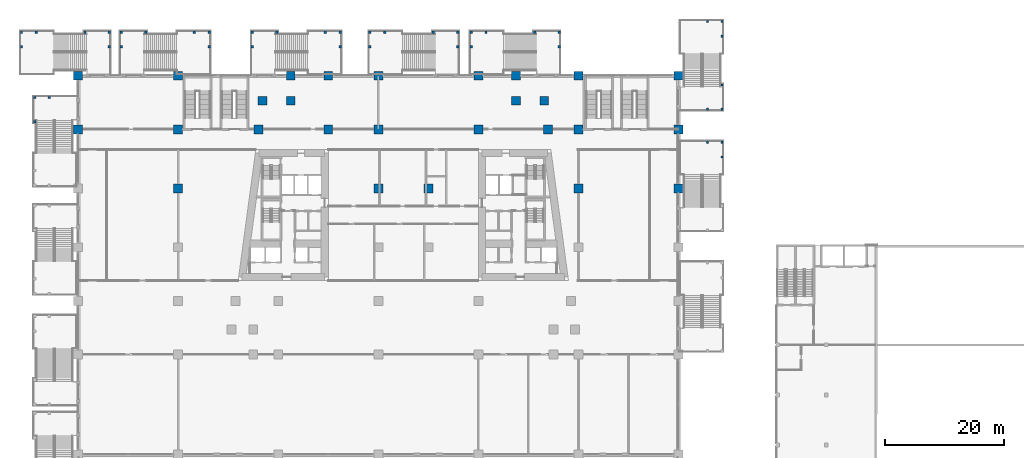
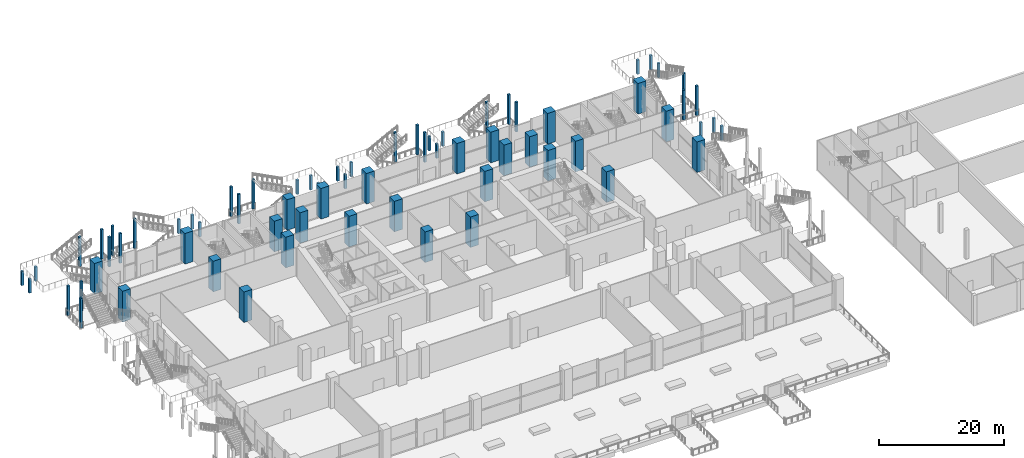
# One storey, part 2 of 47: 69 columns.
"""IFC4 building model written with IfcOpenShell, lengths in metres."""

from ifc_helpers import new_model, si_unit, direction, frame, origin, origin_2d, place, context, subcontext, project, spatial, rectangle, extrude, material, material_profile, profile_set, type_object, element, save


model = new_model("IFC4")

# Units and contexts
model_context = context("Model", 3, precision=1e-05, world=origin(), true_north=direction((0.0, 1.0)))
body_context = subcontext(model_context, "Body", "Model", "MODEL_VIEW")
ifc_project = project(units=[si_unit("LENGTHUNIT", "METRE"), si_unit("AREAUNIT", "SQUARE_METRE"), si_unit("VOLUMEUNIT", "CUBIC_METRE"), si_unit("PLANEANGLEUNIT", "RADIAN"), si_unit("MASSUNIT", "GRAM", prefix="KILO")], contexts=[model_context])

# Site, building, storey
site_placement = place(None, origin())
site = spatial("IfcSite", under=ifc_project, at=site_placement, CompositionType="ELEMENT")
building_placement = place(site_placement, origin())
building = spatial("IfcBuilding", under=site, at=building_placement, Name="Candeia Pilgrim Tower and Theatre", CompositionType="ELEMENT")
storey_placement = place(building_placement, frame((0.0, 0.0, 23.0)))
storey = spatial("IfcBuildingStorey", under=building, at=storey_placement, Name="L03", CompositionType="ELEMENT", Elevation=23.0)

# Columns
ifc_material_1 = material(Name="Concrete C40/50", Category="concrete")
ifc_material_profile_1 = material_profile(ifc_material_1, rectangle(XDim=0.39990234375, YDim=0.39990234375, at=origin_2d()))
ifc_profile_set_1 = profile_set([ifc_material_profile_1], Name="Concrete C40/50")
column_type_1 = type_object("IfcColumnType", Name="Escape stair column RC 400x400", PredefinedType="COLUMN", material=ifc_profile_set_1)
for number, where, z_axis, x_axis, name in (
    (1, (166.89990234375, 139.14990234375, 0.0), (0.0, 0.0, 1.0), (1.0, 0.0, 0.0), "External escape stair ES2 column N1.4"),
    (2, (166.89990234375, 143.25, 0.0), (0.0, 0.0, 1.0), (1.0, 0.0, 0.0), "External escape stair ES2 column N2.4"),
    (3, (164.47509765625, 139.14990234375, 0.0), (0.0, 0.0, 1.0), (1.0, 0.0, 0.0), "External escape stair ES2 column N3.4"),
):
    element("IfcColumn", number, at=place(storey_placement, frame(where, z_axis=z_axis, x_axis=x_axis)), inside=storey, type_object=column_type_1, Name=name, PredefinedType="COLUMN", context=body_context, shape_type="SweptSolid", body=[
        extrude(rectangle(XDim=0.39990234375, YDim=0.39990234375, at=origin_2d()), origin(), (0.0, 0.0, 1.0), 5.800048828125),
    ])
for number, where, z_axis, x_axis, name in (
    (4, (166.89990234375, 151.409912109375, 0.0), (0.0, 0.0, 1.0), (1.0, 0.0, 0.0), "External escape stair ES2 column F1.4"),
    (5, (166.89990234375, 153.909912109375, 0.0), (0.0, 0.0, 1.0), (1.0, 0.0, 0.0), "External escape stair ES2 column F2.4"),
    (6, (164.47509765625, 153.909912109375, 0.0), (0.0, 0.0, 1.0), (1.0, 0.0, 0.0), "External escape stair ES2 column F3.4"),
):
    element("IfcColumn", number, at=place(storey_placement, frame(where, z_axis=z_axis, x_axis=x_axis)), inside=storey, type_object=column_type_1, Name=name, PredefinedType="COLUMN", context=body_context, shape_type="SweptSolid", body=[
        extrude(rectangle(XDim=0.39990234375, YDim=0.39990234375, at=origin_2d()), origin(), (0.0, 0.0, 1.0), 2.800048828125),
    ])
for number, where, z_axis, x_axis, name in (
    (7, (64.050048828125, 152.10009765625, 0.0), (0.0, 0.0, 1.0), (1.0, 0.0, 0.0), "External escape stair ES3 column N1.4"),
    (8, (59.949951171875, 152.10009765625, 0.0), (0.0, 0.0, 1.0), (1.0, 0.0, 0.0), "External escape stair ES3 column N2.4"),
    (9, (64.050048828125, 149.675048828125, 0.0), (0.0, 0.0, 1.0), (1.0, 0.0, 0.0), "External escape stair ES3 column N3.4"),
):
    element("IfcColumn", number, at=place(storey_placement, frame(where, z_axis=z_axis, x_axis=x_axis)), inside=storey, type_object=column_type_1, Name=name, PredefinedType="COLUMN", context=body_context, shape_type="SweptSolid", body=[
        extrude(rectangle(XDim=0.39990234375, YDim=0.39990234375, at=origin_2d()), origin(), (0.0, 0.0, 1.0), 5.800048828125),
    ])
for number, where, z_axis, x_axis, name in (
    (10, (51.7900390625, 152.10009765625, 0.0), (0.0, 0.0, 1.0), (1.0, 0.0, 0.0), "External escape stair ES3 column F1.4"),
    (11, (49.2900390625, 152.10009765625, 0.0), (0.0, 0.0, 1.0), (1.0, 0.0, 0.0), "External escape stair ES3 column F2.4"),
    (12, (49.2900390625, 149.675048828125, 0.0), (0.0, 0.0, 1.0), (1.0, 0.0, 0.0), "External escape stair ES3 column F3.4"),
):
    element("IfcColumn", number, at=place(storey_placement, frame(where, z_axis=z_axis, x_axis=x_axis)), inside=storey, type_object=column_type_1, Name=name, PredefinedType="COLUMN", context=body_context, shape_type="SweptSolid", body=[
        extrude(rectangle(XDim=0.39990234375, YDim=0.39990234375, at=origin_2d()), origin(), (0.0, 0.0, 1.0), 2.800048828125),
    ])
for number, where, z_axis, x_axis, name in (
    (13, (66.050048828125, 152.10009765625, 0.0), (0.0, 0.0, 1.0), (1.0, 0.0, 0.0), "External escape stair ES4 column N1.4"),
    (14, (70.14990234375, 152.10009765625, 0.0), (0.0, 0.0, 1.0), (1.0, 0.0, 0.0), "External escape stair ES4 column N2.4"),
    (15, (66.050048828125, 149.675048828125, 0.0), (0.0, 0.0, 1.0), (1.0, 0.0, 0.0), "External escape stair ES4 column N3.4"),
):
    element("IfcColumn", number, at=place(storey_placement, frame(where, z_axis=z_axis, x_axis=x_axis)), inside=storey, type_object=column_type_1, Name=name, PredefinedType="COLUMN", context=body_context, shape_type="SweptSolid", body=[
        extrude(rectangle(XDim=0.39990234375, YDim=0.39990234375, at=origin_2d()), origin(), (0.0, 0.0, 1.0), 5.800048828125),
    ])
for number, where, z_axis, x_axis, name in (
    (16, (78.31005859375, 152.10009765625, 0.0), (0.0, 0.0, 1.0), (1.0, 0.0, 0.0), "External escape stair ES4 column F1.4"),
    (17, (80.81005859375, 152.10009765625, 0.0), (0.0, 0.0, 1.0), (1.0, 0.0, 0.0), "External escape stair ES4 column F2.4"),
    (18, (80.81005859375, 149.675048828125, 0.0), (0.0, 0.0, 1.0), (1.0, 0.0, 0.0), "External escape stair ES4 column F3.4"),
):
    element("IfcColumn", number, at=place(storey_placement, frame(where, z_axis=z_axis, x_axis=x_axis)), inside=storey, type_object=column_type_1, Name=name, PredefinedType="COLUMN", context=body_context, shape_type="SweptSolid", body=[
        extrude(rectangle(XDim=0.39990234375, YDim=0.39990234375, at=origin_2d()), origin(), (0.0, 0.0, 1.0), 2.800048828125),
    ])
for number, where, z_axis, x_axis, name in (
    (19, (88.050048828125, 152.10009765625, 0.0), (0.0, 0.0, 1.0), (1.0, 0.0, 0.0), "External escape stair ES5 column N1.4"),
    (20, (92.14990234375, 152.10009765625, 0.0), (0.0, 0.0, 1.0), (1.0, 0.0, 0.0), "External escape stair ES5 column N2.4"),
    (21, (88.050048828125, 149.675048828125, 0.0), (0.0, 0.0, 1.0), (1.0, 0.0, 0.0), "External escape stair ES5 column N3.4"),
):
    element("IfcColumn", number, at=place(storey_placement, frame(where, z_axis=z_axis, x_axis=x_axis)), inside=storey, type_object=column_type_1, Name=name, PredefinedType="COLUMN", context=body_context, shape_type="SweptSolid", body=[
        extrude(rectangle(XDim=0.39990234375, YDim=0.39990234375, at=origin_2d()), origin(), (0.0, 0.0, 1.0), 5.800048828125),
    ])
for number, where, z_axis, x_axis, name in (
    (22, (100.31005859375, 152.10009765625, 0.0), (0.0, 0.0, 1.0), (1.0, 0.0, 0.0), "External escape stair ES5 column F1.4"),
    (23, (102.81005859375, 152.10009765625, 0.0), (0.0, 0.0, 1.0), (1.0, 0.0, 0.0), "External escape stair ES5 column F2.4"),
    (24, (102.81005859375, 149.675048828125, 0.0), (0.0, 0.0, 1.0), (1.0, 0.0, 0.0), "External escape stair ES5 column F3.4"),
):
    element("IfcColumn", number, at=place(storey_placement, frame(where, z_axis=z_axis, x_axis=x_axis)), inside=storey, type_object=column_type_1, Name=name, PredefinedType="COLUMN", context=body_context, shape_type="SweptSolid", body=[
        extrude(rectangle(XDim=0.39990234375, YDim=0.39990234375, at=origin_2d()), origin(), (0.0, 0.0, 1.0), 2.800048828125),
    ])
for number, where, z_axis, x_axis, name in (
    (25, (122.550048828125, 152.10009765625, 0.0), (0.0, 0.0, 1.0), (1.0, 0.0, 0.0), "External escape stair ES6 column N1.4"),
    (26, (118.449951171875, 152.10009765625, 0.0), (0.0, 0.0, 1.0), (1.0, 0.0, 0.0), "External escape stair ES6 column N2.4"),
    (27, (122.550048828125, 149.675048828125, 0.0), (0.0, 0.0, 1.0), (1.0, 0.0, 0.0), "External escape stair ES6 column N3.4"),
):
    element("IfcColumn", number, at=place(storey_placement, frame(where, z_axis=z_axis, x_axis=x_axis)), inside=storey, type_object=column_type_1, Name=name, PredefinedType="COLUMN", context=body_context, shape_type="SweptSolid", body=[
        extrude(rectangle(XDim=0.39990234375, YDim=0.39990234375, at=origin_2d()), origin(), (0.0, 0.0, 1.0), 5.800048828125),
    ])
for number, where, z_axis, x_axis, name in (
    (28, (110.2900390625, 152.10009765625, 0.0), (0.0, 0.0, 1.0), (1.0, 0.0, 0.0), "External escape stair ES6 column F1.4"),
    (29, (107.7900390625, 152.10009765625, 0.0), (0.0, 0.0, 1.0), (1.0, 0.0, 0.0), "External escape stair ES6 column F2.4"),
    (30, (107.7900390625, 149.675048828125, 0.0), (0.0, 0.0, 1.0), (1.0, 0.0, 0.0), "External escape stair ES6 column F3.4"),
):
    element("IfcColumn", number, at=place(storey_placement, frame(where, z_axis=z_axis, x_axis=x_axis)), inside=storey, type_object=column_type_1, Name=name, PredefinedType="COLUMN", context=body_context, shape_type="SweptSolid", body=[
        extrude(rectangle(XDim=0.39990234375, YDim=0.39990234375, at=origin_2d()), origin(), (0.0, 0.0, 1.0), 2.800048828125),
    ])
for number, where, z_axis, x_axis, name in (
    (31, (139.550048828125, 152.10009765625, 0.0), (0.0, 0.0, 1.0), (1.0, 0.0, 0.0), "External escape stair ES7 column N1.4"),
    (32, (135.449951171875, 152.10009765625, 0.0), (0.0, 0.0, 1.0), (1.0, 0.0, 0.0), "External escape stair ES7 column N2.4"),
    (33, (139.550048828125, 149.675048828125, 0.0), (0.0, 0.0, 1.0), (1.0, 0.0, 0.0), "External escape stair ES7 column N3.4"),
):
    element("IfcColumn", number, at=place(storey_placement, frame(where, z_axis=z_axis, x_axis=x_axis)), inside=storey, type_object=column_type_1, Name=name, PredefinedType="COLUMN", context=body_context, shape_type="SweptSolid", body=[
        extrude(rectangle(XDim=0.39990234375, YDim=0.39990234375, at=origin_2d()), origin(), (0.0, 0.0, 1.0), 5.800048828125),
    ])
for number, where, z_axis, x_axis, name in (
    (34, (127.2900390625, 152.10009765625, 0.0), (0.0, 0.0, 1.0), (1.0, 0.0, 0.0), "External escape stair ES7 column F1.4"),
    (35, (124.7900390625, 152.10009765625, 0.0), (0.0, 0.0, 1.0), (1.0, 0.0, 0.0), "External escape stair ES7 column F2.4"),
    (36, (124.7900390625, 149.675048828125, 0.0), (0.0, 0.0, 1.0), (1.0, 0.0, 0.0), "External escape stair ES7 column F3.4"),
):
    element("IfcColumn", number, at=place(storey_placement, frame(where, z_axis=z_axis, x_axis=x_axis)), inside=storey, type_object=column_type_1, Name=name, PredefinedType="COLUMN", context=body_context, shape_type="SweptSolid", body=[
        extrude(rectangle(XDim=0.39990234375, YDim=0.39990234375, at=origin_2d()), origin(), (0.0, 0.0, 1.0), 2.800048828125),
    ])
for number, where, z_axis, x_axis, name in (
    (37, (51.5, 141.14990234375, 0.0), (0.0, 0.0, 1.0), (1.0, 0.0, 0.0), "External escape stair ES13 column N1.4"),
    (38, (51.5, 137.050048828125, 0.0), (0.0, 0.0, 1.0), (1.0, 0.0, 0.0), "External escape stair ES13 column N2.4"),
    (39, (53.925048828125, 141.14990234375, 0.0), (0.0, 0.0, 1.0), (1.0, 0.0, 0.0), "External escape stair ES13 column N3.4"),
):
    element("IfcColumn", number, at=place(storey_placement, frame(where, z_axis=z_axis, x_axis=x_axis)), inside=storey, type_object=column_type_1, Name=name, PredefinedType="COLUMN", context=body_context, shape_type="SweptSolid", body=[
        extrude(rectangle(XDim=0.39990234375, YDim=0.39990234375, at=origin_2d()), origin(), (0.0, 0.0, 1.0), 5.800048828125),
    ])
for number, where, z_axis, x_axis, name in (
    (40, (166.89990234375, 131.159912109375, 0.0), (0.0, 0.0, 1.0), (1.0, 0.0, 0.0), "External escape stair ES14 column F1.4"),
    (41, (166.89990234375, 133.659912109375, 0.0), (0.0, 0.0, 1.0), (1.0, 0.0, 0.0), "External escape stair ES14 column F2.4"),
    (42, (164.47509765625, 133.659912109375, 0.0), (0.0, 0.0, 1.0), (1.0, 0.0, 0.0), "External escape stair ES14 column F3.4"),
):
    element("IfcColumn", number, at=place(storey_placement, frame(where, z_axis=z_axis, x_axis=x_axis)), inside=storey, type_object=column_type_1, Name=name, PredefinedType="COLUMN", context=body_context, shape_type="SweptSolid", body=[
        extrude(rectangle(XDim=0.39990234375, YDim=0.39990234375, at=origin_2d()), origin(), (0.0, 0.0, 1.0), 2.800048828125),
    ])
ifc_material_2 = material(Name="Concrete C80/95", Category="concrete")
ifc_material_profile_2 = material_profile(ifc_material_2, rectangle(XDim=1.5, YDim=1.5, at=origin_2d()))
ifc_profile_set_2 = profile_set([ifc_material_profile_2], Name="Concrete C80/95")
column_type_2 = type_object("IfcColumnType", Name="RC 1500x1500 C80/95", PredefinedType="COLUMN", material=ifc_profile_set_2)
for number, where, z_axis, x_axis, name in (
    (43, (75.60009765625, 125.89990234375, 0.0), (0.0, 0.0, 1.0), (1.0, 0.0, 0.0), "Column P-0084+0279"),
    (44, (109.199951171875, 125.89990234375, 0.0), (0.0, 0.0, 1.0), (1.0, 0.0, 0.0), "Column P+0252+0279"),
    (45, (117.60009765625, 125.89990234375, 0.0), (0.0, 0.0, 1.0), (1.0, 0.0, 0.0), "Column P+0336+0279"),
    (46, (142.800048828125, 125.89990234375, 0.0), (0.0, 0.0, 1.0), (1.0, 0.0, 0.0), "Column P+0588+0279"),
    (47, (159.60009765625, 125.89990234375, 0.0), (0.0, 0.0, 1.0), (1.0, 0.0, 0.0), "Column P+0756+0279"),
    (48, (58.800048828125, 135.800048828125, 0.0), (0.0, 0.0, 1.0), (1.0, 0.0, 0.0), "Column P-0252+0378"),
    (49, (75.60009765625, 135.800048828125, 0.0), (0.0, 0.0, 1.0), (1.0, 0.0, 0.0), "Column P-0084+0378"),
    (50, (89.08837890625, 135.800048828125, 0.0), (0.0, 0.0, 1.0), (1.0, 0.0, 0.0), "Column P+0051+0378"),
    (51, (100.800048828125, 135.800048828125, 0.0), (0.0, 0.0, 1.0), (1.0, 0.0, 0.0), "Column P+0168+0378"),
    (52, (109.199951171875, 135.800048828125, 0.0), (0.0, 0.0, 1.0), (1.0, 0.0, 0.0), "Column P+0252+0378"),
    (53, (126.0, 135.800048828125, 0.0), (0.0, 0.0, 1.0), (1.0, 0.0, 0.0), "Column P+0420+0378"),
    (54, (137.71142578125, 135.800048828125, 0.0), (0.0, 0.0, 1.0), (1.0, 0.0, 0.0), "Column P+0537+0378"),
    (55, (142.800048828125, 135.800048828125, 0.0), (0.0, 0.0, 1.0), (1.0, 0.0, 0.0), "Column P+0588+0378"),
    (56, (159.60009765625, 135.800048828125, 0.0), (0.0, 0.0, 1.0), (1.0, 0.0, 0.0), "Column P+0756+0378"),
    (57, (89.734619140625, 140.60009765625, 0.0), (0.0, 0.0, 1.0), (1.0, 0.0, 0.0), "Column P+0057+0426"),
    (58, (94.5, 140.60009765625, 0.0), (0.0, 0.0, 1.0), (1.0, 0.0, 0.0), "Column P+0105+0426"),
    (59, (132.300048828125, 140.60009765625, 0.0), (0.0, 0.0, 1.0), (1.0, 0.0, 0.0), "Column P+0483+0426"),
    (60, (137.0654296875, 140.60009765625, 0.0), (0.0, 0.0, 1.0), (1.0, 0.0, 0.0), "Column P+0531+0426"),
    (61, (58.800048828125, 144.800048828125, 0.0), (0.0, 0.0, 1.0), (1.0, 0.0, 0.0), "Column P-0252+0468"),
    (62, (75.60009765625, 144.800048828125, 0.0), (0.0, 0.0, 1.0), (1.0, 0.0, 0.0), "Column P-0084+0468"),
    (63, (94.5, 144.800048828125, 0.0), (0.0, 0.0, 1.0), (1.0, 0.0, 0.0), "Column P+0105+0468"),
    (64, (100.800048828125, 144.800048828125, 0.0), (0.0, 0.0, 1.0), (1.0, 0.0, 0.0), "Column P+0168+0468"),
    (65, (109.199951171875, 144.800048828125, 0.0), (0.0, 0.0, 1.0), (1.0, 0.0, 0.0), "Column P+0252+0468"),
    (66, (126.0, 144.800048828125, 0.0), (0.0, 0.0, 1.0), (1.0, 0.0, 0.0), "Column P+0420+0468"),
    (67, (132.300048828125, 144.800048828125, 0.0), (0.0, 0.0, 1.0), (1.0, 0.0, 0.0), "Column P+0483+0468"),
    (68, (142.800048828125, 144.800048828125, 0.0), (0.0, 0.0, 1.0), (1.0, 0.0, 0.0), "Column P+0588+0468"),
    (69, (159.60009765625, 144.800048828125, 0.0), (0.0, 0.0, 1.0), (1.0, 0.0, 0.0), "Column P+0756+0468"),
):
    element("IfcColumn", number, at=place(storey_placement, frame(where, z_axis=z_axis, x_axis=x_axis)), inside=storey, type_object=column_type_2, Name=name, PredefinedType="COLUMN", context=body_context, shape_type="SweptSolid", body=[
        extrude(rectangle(XDim=1.5, YDim=1.5, at=origin_2d()), origin(), (0.0, 0.0, 1.0), 6.0),
    ])

save(model, "model.ifc")
